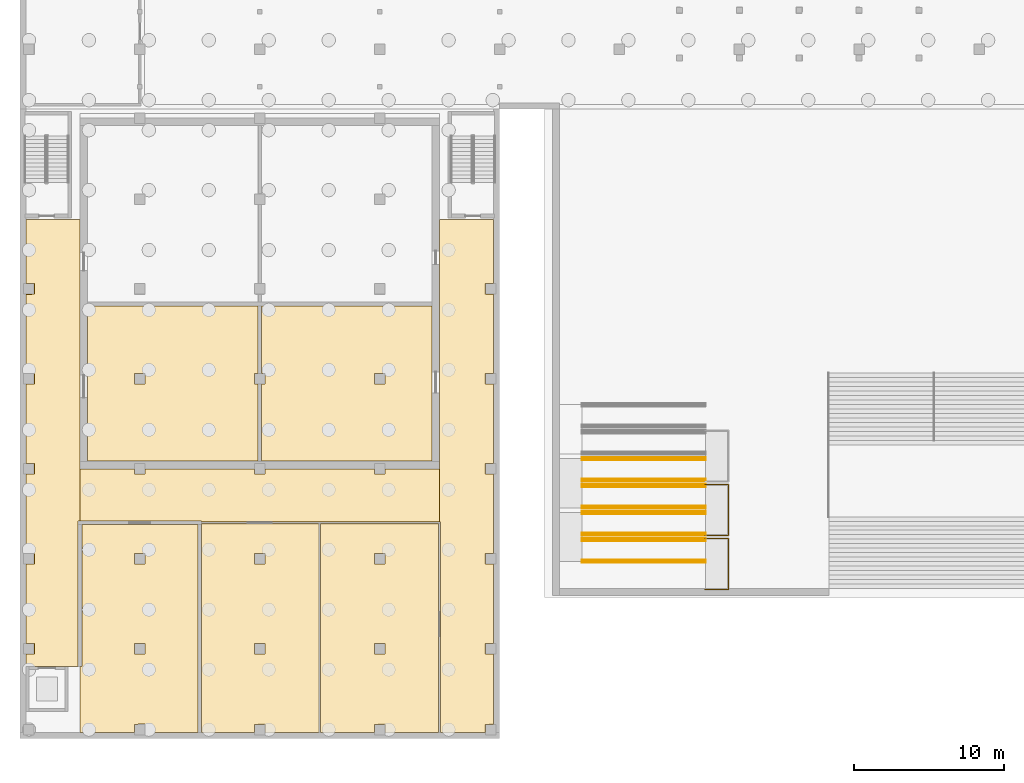
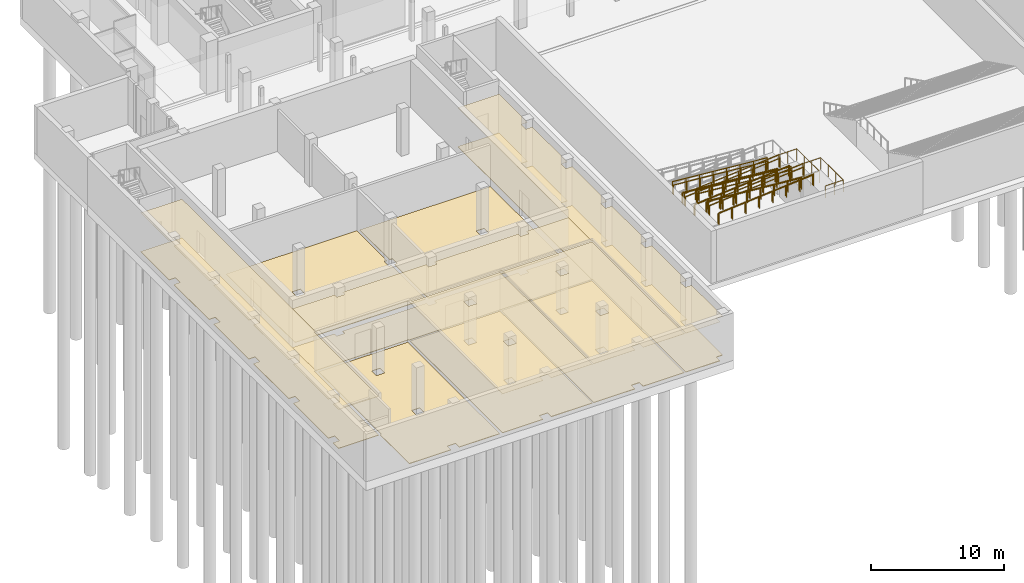
# One storey, part 11 of 21: 18 railings, 13 coverings.
"""IFC4 building model written with IfcOpenShell, lengths in metres."""

from ifc_helpers import new_model, si_unit, direction, frame, origin, origin_2d, place, context, subcontext, project, spatial, polyline, circle, outline, extrude, material, layer, layer_set, type_object, element, save


model = new_model("IFC4")

# Units and contexts
model_context = context("Model", 3, precision=1e-05, world=origin(), true_north=direction((0.0, 1.0)))
body_context = subcontext(model_context, "Body", "Model", "MODEL_VIEW")
ifc_project = project(units=[si_unit("LENGTHUNIT", "METRE"), si_unit("AREAUNIT", "SQUARE_METRE"), si_unit("VOLUMEUNIT", "CUBIC_METRE"), si_unit("PLANEANGLEUNIT", "RADIAN"), si_unit("MASSUNIT", "GRAM", prefix="KILO")], contexts=[model_context])

# Site, building, storey
site_placement = place(None, origin())
site = spatial("IfcSite", under=ifc_project, at=site_placement, CompositionType="ELEMENT")
building_placement = place(site_placement, origin())
building = spatial("IfcBuilding", under=site, at=building_placement, Name="Lantern Court Media Centre", CompositionType="ELEMENT")
storey_placement = place(building_placement, frame((0.0, 0.0, -4.800048828125)))
storey = spatial("IfcBuildingStorey", under=building, at=storey_placement, Name="B1", CompositionType="ELEMENT", Elevation=-4.800048828125)

# Coverings
ifc_material_1 = material(Name="Carpet")
ifc_layer_1 = layer(ifc_material_1, 0.050048828125)
ifc_layer_set_1 = layer_set([ifc_layer_1], Name="Carpet")
covering_type_1 = type_object("IfcCoveringType", Name="Carpet floor finish", PredefinedType="FLOORING", material=ifc_layer_set_1)
covering_1_placement = place(storey_placement, origin())
element("IfcCovering", 1, at=covering_1_placement, inside=storey, type_object=covering_type_1, Name="Chiller Plant Room floor finish", PredefinedType="FLOORING", context=body_context, shape_type="SweptSolid", body=[
    extrude(outline(polyline([(4.0, 2.794921875), (4.125, 2.800048828125), (4.125, 12.27490234375), (11.875, 12.27490234375), (11.875, -1.594970703125), (8.35498046875, -1.594970703125), (8.35009765625, -1.044921875), (7.646728515625, -1.046142578125), (7.64501953125, -1.594970703125), (4.0, -1.594970703125), (4.0, 2.794921875)]), holes=[polyline([(8.35009765625, 9.64501953125), (8.353515625, 10.353515625), (7.646484375, 10.353515625), (7.646484375, 9.646484375), (8.35009765625, 9.64501953125)]), polyline([(8.35009765625, 3.64501953125), (8.353515625, 4.353515625), (7.646484375, 4.353515625), (7.646484375, 3.646484375), (8.35009765625, 3.64501953125)])]), origin(), (0.0, 0.0, 1.0), 0.050048828125),
])
covering_2_placement = place(storey_placement, origin())
element("IfcCovering", 2, at=covering_2_placement, inside=storey, type_object=covering_type_1, Name="Cinema Hall Switchroom floor finish", PredefinedType="FLOORING", context=body_context, shape_type="SweptSolid", body=[
    extrude(outline(polyline([(16.35498046875, -1.594970703125), (16.35009765625, -1.044921875), (15.646728515625, -1.046142578125), (15.64501953125, -1.594970703125), (12.125, -1.594970703125), (12.125, 12.33251953125), (19.945068359375, 12.33251953125), (19.945068359375, -1.594970703125), (16.35498046875, -1.594970703125)]), holes=[polyline([(16.35009765625, 3.64501953125), (16.353515625, 4.353515625), (15.646484375, 4.353515625), (15.646484375, 3.646484375), (16.35009765625, 3.64501953125)]), polyline([(15.64501953125, 9.64990234375), (16.353515625, 9.646484375), (16.353515625, 10.353515625), (15.646484375, 10.353515625), (15.64501953125, 9.64990234375)])]), origin(), (0.0, 0.0, 1.0), 0.050048828125),
])
covering_3_placement = place(storey_placement, origin())
element("IfcCovering", 3, at=covering_3_placement, inside=storey, type_object=covering_type_1, Name="Water Tank Room floor finish", PredefinedType="FLOORING", context=body_context, shape_type="SweptSolid", body=[
    extrude(outline(polyline([(24.35498046875, -1.594970703125), (24.35009765625, -1.044921875), (23.646728515625, -1.046142578125), (23.64501953125, -1.594970703125), (20.054931640625, -1.594970703125), (20.054931640625, 12.33251953125), (27.9326171875, 12.33251953125), (27.9326171875, -1.594970703125), (24.35498046875, -1.594970703125)]), holes=[polyline([(24.35009765625, 3.64501953125), (24.353515625, 4.353515625), (23.646484375, 4.353515625), (23.646484375, 3.646484375), (24.35009765625, 3.64501953125)]), polyline([(24.35009765625, 9.64501953125), (24.353515625, 10.353515625), (23.646484375, 10.353515625), (23.646484375, 9.646484375), (24.35009765625, 9.64501953125)])]), origin(), (0.0, 0.0, 1.0), 0.050048828125),
])
covering_4_placement = place(storey_placement, origin())
element("IfcCovering", 4, at=covering_4_placement, inside=storey, type_object=covering_type_1, Name="Standby Generator Hall floor finish", PredefinedType="FLOORING", context=body_context, shape_type="SweptSolid", body=[
    extrude(outline(polyline([(15.875, 26.875), (15.875, 22.35498046875), (15.64501953125, 22.35009765625), (15.645263671875, 21.6484375), (15.875, 21.64501953125), (15.875, 16.5048828125), (4.5048828125, 16.5048828125), (4.5048828125, 26.875), (15.875, 26.875)]), holes=[polyline([(8.35009765625, 21.64501953125), (8.353515625, 22.353515625), (7.646484375, 22.353515625), (7.646484375, 21.646484375), (8.35009765625, 21.64501953125)])]), origin(), (0.0, 0.0, 1.0), 0.050048828125),
])
covering_5_placement = place(storey_placement, origin())
element("IfcCovering", 5, at=covering_5_placement, inside=storey, type_object=covering_type_1, Name="Air Handling Plant Room floor finish", PredefinedType="FLOORING", context=body_context, shape_type="SweptSolid", body=[
    extrude(outline(polyline([(16.125, 21.64501953125), (16.35498046875, 21.64990234375), (16.354736328125, 22.3515625), (16.125, 22.35498046875), (16.125, 26.875), (27.4951171875, 26.875), (27.4951171875, 16.5048828125), (16.125, 16.5048828125), (16.125, 21.64501953125)]), holes=[polyline([(24.35009765625, 21.64501953125), (24.353515625, 22.353515625), (23.646484375, 22.353515625), (23.646484375, 21.646484375), (24.35009765625, 21.64501953125)])]), origin(), (0.0, 0.0, 1.0), 0.050048828125),
])

# Railings
ifc_material_2 = material(Name="Steel, galvanised", Category="steel")
railing_type_1 = type_object("IfcRailingType", Name="Forecourt guard 1100", PredefinedType="GUARDRAIL", material=ifc_material_2)
for number, where, name in (
    (6, (45.728515625, 9.75, 4.1142578125), "Ramp 2 guard S"),
    (7, (45.728515625, 11.35009765625, 4.1142578125), "Ramp 2 guard N"),
):
    element("IfcRailing", number, at=place(storey_placement, frame(where)), inside=storey, type_object=railing_type_1, Name=name, PredefinedType="GUARDRAIL", context=body_context, shape_type="SweptSolid", body=[
        extrude(circle(Radius=0.02392578125, at=origin_2d()), frame((0.0, 0.0, 1.076171875), z_axis=(-0.99654738937, 0.0, -0.083025904028), x_axis=(0.0, -1.0, 0.0)), (0.0, 0.0, 1.0), 8.257080078125),
        extrude(circle(Radius=0.02099609375, at=origin_2d()), origin(), (0.0, 0.0, 1.0), 1.052001953125),
        extrude(circle(Radius=0.02099609375, at=origin_2d()), frame((-1.175537109375, 0.0, -0.097900390625)), (0.0, 0.0, 1.0), 1.052001953125),
        extrude(circle(Radius=0.02099609375, at=origin_2d()), frame((-2.35107421875, 0.0, -0.19580078125)), (0.0, 0.0, 1.0), 1.052001953125),
        extrude(circle(Radius=0.02099609375, at=origin_2d()), frame((-3.526611328125, 0.0, -0.293701171875)), (0.0, 0.0, 1.0), 1.052001953125),
        extrude(circle(Radius=0.02099609375, at=origin_2d()), frame((-4.701904296875, 0.0, -0.391845703125)), (0.0, 0.0, 1.0), 1.052001953125),
        extrude(circle(Radius=0.02099609375, at=origin_2d()), frame((-5.87744140625, 0.0, -0.48974609375)), (0.0, 0.0, 1.0), 1.052001953125),
        extrude(circle(Radius=0.02099609375, at=origin_2d()), frame((-7.052978515625, 0.0, -0.587646484375)), (0.0, 0.0, 1.0), 1.052001953125),
        extrude(circle(Radius=0.02099609375, at=origin_2d()), frame((-8.228515625, 0.0, -0.685546875)), (0.0, 0.0, 1.0), 1.052001953125),
    ])
for number, where, name in (
    (8, (37.5, 11.550048828125, 3.4287109375), "Ramp 3 guard S"),
    (9, (37.5, 13.14990234375, 3.4287109375), "Ramp 3 guard N"),
):
    element("IfcRailing", number, at=place(storey_placement, frame(where)), inside=storey, type_object=railing_type_1, Name=name, PredefinedType="GUARDRAIL", context=body_context, shape_type="SweptSolid", body=[
        extrude(circle(Radius=0.02392578125, at=origin_2d()), frame((0.0, 0.0, 1.076171875), z_axis=(0.99654494254, 0.0, -0.083055267731), x_axis=(0.0, 1.0, 0.0)), (0.0, 0.0, 1.0), 8.257080078125),
        extrude(circle(Radius=0.02099609375, at=origin_2d()), origin(), (0.0, 0.0, 1.0), 1.052001953125),
        extrude(circle(Radius=0.02099609375, at=origin_2d()), frame((1.175537109375, 0.0, -0.097900390625)), (0.0, 0.0, 1.0), 1.052001953125),
        extrude(circle(Radius=0.02099609375, at=origin_2d()), frame((2.35107421875, 0.0, -0.196044921875)), (0.0, 0.0, 1.0), 1.052001953125),
        extrude(circle(Radius=0.02099609375, at=origin_2d()), frame((3.526611328125, 0.0, -0.2939453125)), (0.0, 0.0, 1.0), 1.052001953125),
        extrude(circle(Radius=0.02099609375, at=origin_2d()), frame((4.701904296875, 0.0, -0.391845703125)), (0.0, 0.0, 1.0), 1.052001953125),
        extrude(circle(Radius=0.02099609375, at=origin_2d()), frame((5.87744140625, 0.0, -0.48974609375)), (0.0, 0.0, 1.0), 1.052001953125),
        extrude(circle(Radius=0.02099609375, at=origin_2d()), frame((7.052978515625, 0.0, -0.587890625)), (0.0, 0.0, 1.0), 1.052001953125),
        extrude(circle(Radius=0.02099609375, at=origin_2d()), frame((8.228515625, 0.0, -0.685791015625)), (0.0, 0.0, 1.0), 1.052001953125),
    ])
for number, where, name in (
    (10, (45.728515625, 13.35009765625, 2.742919921875), "Ramp 4 guard S"),
    (11, (45.728515625, 14.949951171875, 2.742919921875), "Ramp 4 guard N"),
):
    element("IfcRailing", number, at=place(storey_placement, frame(where)), inside=storey, type_object=railing_type_1, Name=name, PredefinedType="GUARDRAIL", context=body_context, shape_type="SweptSolid", body=[
        extrude(circle(Radius=0.02392578125, at=origin_2d()), frame((0.0, 0.0, 1.076171875), z_axis=(-0.99654494254, 0.0, -0.083055267731), x_axis=(0.0, -1.0, 0.0)), (0.0, 0.0, 1.0), 8.257080078125),
        extrude(circle(Radius=0.02099609375, at=origin_2d()), origin(), (0.0, 0.0, 1.0), 1.052001953125),
        extrude(circle(Radius=0.02099609375, at=origin_2d()), frame((-1.175537109375, 0.0, -0.097900390625)), (0.0, 0.0, 1.0), 1.052001953125),
        extrude(circle(Radius=0.02099609375, at=origin_2d()), frame((-2.35107421875, 0.0, -0.196044921875)), (0.0, 0.0, 1.0), 1.052001953125),
        extrude(circle(Radius=0.02099609375, at=origin_2d()), frame((-3.526611328125, 0.0, -0.2939453125)), (0.0, 0.0, 1.0), 1.052001953125),
        extrude(circle(Radius=0.02099609375, at=origin_2d()), frame((-4.701904296875, 0.0, -0.391845703125)), (0.0, 0.0, 1.0), 1.052001953125),
        extrude(circle(Radius=0.02099609375, at=origin_2d()), frame((-5.87744140625, 0.0, -0.48974609375)), (0.0, 0.0, 1.0), 1.052001953125),
        extrude(circle(Radius=0.02099609375, at=origin_2d()), frame((-7.052978515625, 0.0, -0.587890625)), (0.0, 0.0, 1.0), 1.052001953125),
        extrude(circle(Radius=0.02099609375, at=origin_2d()), frame((-8.228515625, 0.0, -0.685791015625)), (0.0, 0.0, 1.0), 1.052001953125),
    ])
for number, where, name in (
    (12, (37.5, 15.14990234375, 2.05712890625), "Ramp 5 guard S"),
    (13, (37.5, 16.75, 2.05712890625), "Ramp 5 guard N"),
):
    element("IfcRailing", number, at=place(storey_placement, frame(where)), inside=storey, type_object=railing_type_1, Name=name, PredefinedType="GUARDRAIL", context=body_context, shape_type="SweptSolid", body=[
        extrude(circle(Radius=0.02392578125, at=origin_2d()), frame((0.0, 0.0, 1.076171875), z_axis=(0.99654494254, 0.0, -0.083055267731), x_axis=(0.0, 1.0, 0.0)), (0.0, 0.0, 1.0), 8.257080078125),
        extrude(circle(Radius=0.02099609375, at=origin_2d()), origin(), (0.0, 0.0, 1.0), 1.052001953125),
        extrude(circle(Radius=0.02099609375, at=origin_2d()), frame((1.175537109375, 0.0, -0.097900390625)), (0.0, 0.0, 1.0), 1.052001953125),
        extrude(circle(Radius=0.02099609375, at=origin_2d()), frame((2.35107421875, 0.0, -0.196044921875)), (0.0, 0.0, 1.0), 1.052001953125),
        extrude(circle(Radius=0.02099609375, at=origin_2d()), frame((3.526611328125, 0.0, -0.2939453125)), (0.0, 0.0, 1.0), 1.052001953125),
        extrude(circle(Radius=0.02099609375, at=origin_2d()), frame((4.701904296875, 0.0, -0.391845703125)), (0.0, 0.0, 1.0), 1.052001953125),
        extrude(circle(Radius=0.02099609375, at=origin_2d()), frame((5.87744140625, 0.0, -0.48974609375)), (0.0, 0.0, 1.0), 1.052001953125),
        extrude(circle(Radius=0.02099609375, at=origin_2d()), frame((7.052978515625, 0.0, -0.587890625)), (0.0, 0.0, 1.0), 1.052001953125),
        extrude(circle(Radius=0.02099609375, at=origin_2d()), frame((8.228515625, 0.0, -0.685791015625)), (0.0, 0.0, 1.0), 1.052001953125),
    ])
railing_1_placement = place(storey_placement, frame((45.728515625, 7.949951171875, 4.1142578125)))
element("IfcRailing", 14, at=railing_1_placement, inside=storey, type_object=railing_type_1, Name="Ramp landing L1 guard", PredefinedType="GUARDRAIL", context=body_context, shape_type="SweptSolid", body=[
    extrude(circle(Radius=0.02392578125, at=origin_2d()), frame((0.0, 0.0, 1.076171875), z_axis=(1.0, 0.0, 0.0), x_axis=(0.0, 1.0, 0.0)), (0.0, 0.0, 1.0), 1.550048828125),
    extrude(circle(Radius=0.02392578125, at=origin_2d()), frame((1.550048828125, 0.0, 1.076171875), z_axis=(0.0, 1.0, 0.0), x_axis=(-1.0, 0.0, 0.0)), (0.0, 0.0, 1.0), 3.400146484375),
    extrude(circle(Radius=0.02392578125, at=origin_2d()), frame((1.550048828125, 3.400146484375, 1.076171875), z_axis=(-1.0, 0.0, 0.0), x_axis=(0.0, -1.0, 0.0)), (0.0, 0.0, 1.0), 1.550048828125),
    extrude(circle(Radius=0.02099609375, at=origin_2d()), origin(), (0.0, 0.0, 1.0), 1.052001953125),
    extrude(circle(Radius=0.02099609375, at=origin_2d()), frame((0.77490234375, 0.0, 0.0)), (0.0, 0.0, 1.0), 1.052001953125),
    extrude(circle(Radius=0.02099609375, at=origin_2d()), frame((1.550048828125, 0.0, 0.0)), (0.0, 0.0, 1.0), 1.052001953125),
    extrude(circle(Radius=0.02099609375, at=origin_2d()), frame((1.550048828125, 1.13330078125, 0.0)), (0.0, 0.0, 1.0), 1.052001953125),
    extrude(circle(Radius=0.02099609375, at=origin_2d()), frame((1.550048828125, 2.266845703125, 0.0)), (0.0, 0.0, 1.0), 1.052001953125),
    extrude(circle(Radius=0.02099609375, at=origin_2d()), frame((1.550048828125, 3.400146484375, 0.0)), (0.0, 0.0, 1.0), 1.052001953125),
    extrude(circle(Radius=0.02099609375, at=origin_2d()), frame((0.77490234375, 3.400146484375, 0.0)), (0.0, 0.0, 1.0), 1.052001953125),
    extrude(circle(Radius=0.02099609375, at=origin_2d()), frame((0.0, 3.400146484375, 0.0)), (0.0, 0.0, 1.0), 1.052001953125),
])
railing_2_placement = place(storey_placement, frame((45.728515625, 11.550048828125, 2.742919921875)))
element("IfcRailing", 15, at=railing_2_placement, inside=storey, type_object=railing_type_1, Name="Ramp landing L3 guard", PredefinedType="GUARDRAIL", context=body_context, shape_type="SweptSolid", body=[
    extrude(circle(Radius=0.02392578125, at=origin_2d()), frame((0.0, 0.0, 1.076171875), z_axis=(1.0, 0.0, 0.0), x_axis=(0.0, 1.0, 0.0)), (0.0, 0.0, 1.0), 1.550048828125),
    extrude(circle(Radius=0.02392578125, at=origin_2d()), frame((1.550048828125, 0.0, 1.076171875), z_axis=(0.0, 1.0, 0.0), x_axis=(-1.0, 0.0, 0.0)), (0.0, 0.0, 1.0), 3.39990234375),
    extrude(circle(Radius=0.02392578125, at=origin_2d()), frame((1.550048828125, 3.39990234375, 1.076171875), z_axis=(-1.0, 0.0, 0.0), x_axis=(0.0, -1.0, 0.0)), (0.0, 0.0, 1.0), 1.550048828125),
    extrude(circle(Radius=0.02099609375, at=origin_2d()), origin(), (0.0, 0.0, 1.0), 1.052001953125),
    extrude(circle(Radius=0.02099609375, at=origin_2d()), frame((0.77490234375, 0.0, 0.0)), (0.0, 0.0, 1.0), 1.052001953125),
    extrude(circle(Radius=0.02099609375, at=origin_2d()), frame((1.550048828125, 0.0, 0.0)), (0.0, 0.0, 1.0), 1.052001953125),
    extrude(circle(Radius=0.02099609375, at=origin_2d()), frame((1.550048828125, 1.13330078125, 0.0)), (0.0, 0.0, 1.0), 1.052001953125),
    extrude(circle(Radius=0.02099609375, at=origin_2d()), frame((1.550048828125, 2.2666015625, 0.0)), (0.0, 0.0, 1.0), 1.052001953125),
    extrude(circle(Radius=0.02099609375, at=origin_2d()), frame((1.550048828125, 3.39990234375, 0.0)), (0.0, 0.0, 1.0), 1.052001953125),
    extrude(circle(Radius=0.02099609375, at=origin_2d()), frame((0.77490234375, 3.39990234375, 0.0)), (0.0, 0.0, 1.0), 1.052001953125),
    extrude(circle(Radius=0.02099609375, at=origin_2d()), frame((0.0, 3.39990234375, 0.0)), (0.0, 0.0, 1.0), 1.052001953125),
])
railing_type_2 = type_object("IfcRailingType", Name="Forecourt handrail 900", PredefinedType="HANDRAIL", material=ifc_material_2)
for number, where, name in (
    (16, (45.728515625, 9.919921875, 4.1142578125), "Ramp 2 handrail a"),
    (17, (45.728515625, 11.179931640625, 4.1142578125), "Ramp 2 handrail b"),
):
    element("IfcRailing", number, at=place(storey_placement, frame(where)), inside=storey, type_object=railing_type_2, Name=name, PredefinedType="HANDRAIL", context=body_context, shape_type="SweptSolid", body=[
        extrude(circle(Radius=0.02392578125, at=origin_2d()), frame((0.0, 0.0, 0.8759765625), z_axis=(-0.99654738937, 0.0, -0.083025904028), x_axis=(0.0, -1.0, 0.0)), (0.0, 0.0, 1.0), 8.257080078125),
        extrude(circle(Radius=0.02099609375, at=origin_2d()), origin(), (0.0, 0.0, 1.0), 0.851806640625),
        extrude(circle(Radius=0.02099609375, at=origin_2d()), frame((-1.175537109375, 0.0, -0.097900390625)), (0.0, 0.0, 1.0), 0.851806640625),
        extrude(circle(Radius=0.02099609375, at=origin_2d()), frame((-2.35107421875, 0.0, -0.19580078125)), (0.0, 0.0, 1.0), 0.851806640625),
        extrude(circle(Radius=0.02099609375, at=origin_2d()), frame((-3.526611328125, 0.0, -0.293701171875)), (0.0, 0.0, 1.0), 0.851806640625),
        extrude(circle(Radius=0.02099609375, at=origin_2d()), frame((-4.701904296875, 0.0, -0.391845703125)), (0.0, 0.0, 1.0), 0.851806640625),
        extrude(circle(Radius=0.02099609375, at=origin_2d()), frame((-5.87744140625, 0.0, -0.48974609375)), (0.0, 0.0, 1.0), 0.851806640625),
        extrude(circle(Radius=0.02099609375, at=origin_2d()), frame((-7.052978515625, 0.0, -0.587646484375)), (0.0, 0.0, 1.0), 0.851806640625),
        extrude(circle(Radius=0.02099609375, at=origin_2d()), frame((-8.228515625, 0.0, -0.685546875)), (0.0, 0.0, 1.0), 0.851806640625),
    ])
for number, where, name in (
    (18, (37.5, 11.719970703125, 3.4287109375), "Ramp 3 handrail a"),
    (19, (37.5, 12.97998046875, 3.4287109375), "Ramp 3 handrail b"),
):
    element("IfcRailing", number, at=place(storey_placement, frame(where)), inside=storey, type_object=railing_type_2, Name=name, PredefinedType="HANDRAIL", context=body_context, shape_type="SweptSolid", body=[
        extrude(circle(Radius=0.02392578125, at=origin_2d()), frame((0.0, 0.0, 0.8759765625), z_axis=(0.99654494254, 0.0, -0.083055267731), x_axis=(0.0, 1.0, 0.0)), (0.0, 0.0, 1.0), 8.257080078125),
        extrude(circle(Radius=0.02099609375, at=origin_2d()), origin(), (0.0, 0.0, 1.0), 0.851806640625),
        extrude(circle(Radius=0.02099609375, at=origin_2d()), frame((1.175537109375, 0.0, -0.097900390625)), (0.0, 0.0, 1.0), 0.851806640625),
        extrude(circle(Radius=0.02099609375, at=origin_2d()), frame((2.35107421875, 0.0, -0.196044921875)), (0.0, 0.0, 1.0), 0.851806640625),
        extrude(circle(Radius=0.02099609375, at=origin_2d()), frame((3.526611328125, 0.0, -0.2939453125)), (0.0, 0.0, 1.0), 0.851806640625),
        extrude(circle(Radius=0.02099609375, at=origin_2d()), frame((4.701904296875, 0.0, -0.391845703125)), (0.0, 0.0, 1.0), 0.851806640625),
        extrude(circle(Radius=0.02099609375, at=origin_2d()), frame((5.87744140625, 0.0, -0.48974609375)), (0.0, 0.0, 1.0), 0.851806640625),
        extrude(circle(Radius=0.02099609375, at=origin_2d()), frame((7.052978515625, 0.0, -0.587890625)), (0.0, 0.0, 1.0), 0.851806640625),
        extrude(circle(Radius=0.02099609375, at=origin_2d()), frame((8.228515625, 0.0, -0.685791015625)), (0.0, 0.0, 1.0), 0.851806640625),
    ])
for number, where, name in (
    (20, (45.728515625, 13.52001953125, 2.742919921875), "Ramp 4 handrail a"),
    (21, (45.728515625, 14.780029296875, 2.742919921875), "Ramp 4 handrail b"),
):
    element("IfcRailing", number, at=place(storey_placement, frame(where)), inside=storey, type_object=railing_type_2, Name=name, PredefinedType="HANDRAIL", context=body_context, shape_type="SweptSolid", body=[
        extrude(circle(Radius=0.02392578125, at=origin_2d()), frame((0.0, 0.0, 0.8759765625), z_axis=(-0.99654494254, 0.0, -0.083055267731), x_axis=(0.0, -1.0, 0.0)), (0.0, 0.0, 1.0), 8.257080078125),
        extrude(circle(Radius=0.02099609375, at=origin_2d()), origin(), (0.0, 0.0, 1.0), 0.851806640625),
        extrude(circle(Radius=0.02099609375, at=origin_2d()), frame((-1.175537109375, 0.0, -0.097900390625)), (0.0, 0.0, 1.0), 0.851806640625),
        extrude(circle(Radius=0.02099609375, at=origin_2d()), frame((-2.35107421875, 0.0, -0.196044921875)), (0.0, 0.0, 1.0), 0.851806640625),
        extrude(circle(Radius=0.02099609375, at=origin_2d()), frame((-3.526611328125, 0.0, -0.2939453125)), (0.0, 0.0, 1.0), 0.851806640625),
        extrude(circle(Radius=0.02099609375, at=origin_2d()), frame((-4.701904296875, 0.0, -0.391845703125)), (0.0, 0.0, 1.0), 0.851806640625),
        extrude(circle(Radius=0.02099609375, at=origin_2d()), frame((-5.87744140625, 0.0, -0.48974609375)), (0.0, 0.0, 1.0), 0.851806640625),
        extrude(circle(Radius=0.02099609375, at=origin_2d()), frame((-7.052978515625, 0.0, -0.587890625)), (0.0, 0.0, 1.0), 0.851806640625),
        extrude(circle(Radius=0.02099609375, at=origin_2d()), frame((-8.228515625, 0.0, -0.685791015625)), (0.0, 0.0, 1.0), 0.851806640625),
    ])
for number, where, name in (
    (22, (37.5, 15.320068359375, 2.05712890625), "Ramp 5 handrail a"),
    (23, (37.5, 16.580078125, 2.05712890625), "Ramp 5 handrail b"),
):
    element("IfcRailing", number, at=place(storey_placement, frame(where)), inside=storey, type_object=railing_type_2, Name=name, PredefinedType="HANDRAIL", context=body_context, shape_type="SweptSolid", body=[
        extrude(circle(Radius=0.02392578125, at=origin_2d()), frame((0.0, 0.0, 0.8759765625), z_axis=(0.99654494254, 0.0, -0.083055267731), x_axis=(0.0, 1.0, 0.0)), (0.0, 0.0, 1.0), 8.257080078125),
        extrude(circle(Radius=0.02099609375, at=origin_2d()), origin(), (0.0, 0.0, 1.0), 0.851806640625),
        extrude(circle(Radius=0.02099609375, at=origin_2d()), frame((1.175537109375, 0.0, -0.097900390625)), (0.0, 0.0, 1.0), 0.851806640625),
        extrude(circle(Radius=0.02099609375, at=origin_2d()), frame((2.35107421875, 0.0, -0.196044921875)), (0.0, 0.0, 1.0), 0.851806640625),
        extrude(circle(Radius=0.02099609375, at=origin_2d()), frame((3.526611328125, 0.0, -0.2939453125)), (0.0, 0.0, 1.0), 0.851806640625),
        extrude(circle(Radius=0.02099609375, at=origin_2d()), frame((4.701904296875, 0.0, -0.391845703125)), (0.0, 0.0, 1.0), 0.851806640625),
        extrude(circle(Radius=0.02099609375, at=origin_2d()), frame((5.87744140625, 0.0, -0.48974609375)), (0.0, 0.0, 1.0), 0.851806640625),
        extrude(circle(Radius=0.02099609375, at=origin_2d()), frame((7.052978515625, 0.0, -0.587890625)), (0.0, 0.0, 1.0), 0.851806640625),
        extrude(circle(Radius=0.02099609375, at=origin_2d()), frame((8.228515625, 0.0, -0.685791015625)), (0.0, 0.0, 1.0), 0.851806640625),
    ])

# Coverings
ifc_material_3 = material(Name="Mineral fibre ceiling tile")
ifc_layer_2 = layer(ifc_material_3, 0.02001953125)
ifc_layer_set_2 = layer_set([ifc_layer_2], Name="Mineral fibre ceiling tile")
covering_type_2 = type_object("IfcCoveringType", Name="Suspended ceiling tile", PredefinedType="CEILING", material=ifc_layer_set_2)
covering_6_placement = place(storey_placement, frame((0.0, 0.0, 3.60009765625)))
element("IfcCovering", 24, at=covering_6_placement, inside=storey, type_object=covering_type_2, Name="Plant Corridor ceiling", PredefinedType="CEILING", context=body_context, shape_type="SweptSolid", body=[
    extrude(outline(polyline([(4.0, 12.5205078125), (3.87939453125, 12.52001953125), (3.87939453125, 2.800048828125), (0.400390625, 2.800537109375), (0.400390625, 3.6494140625), (0.950439453125, 3.64990234375), (0.950439453125, 4.350341796875), (0.400390625, 4.3505859375), (0.400390625, 9.6494140625), (0.950439453125, 9.64990234375), (0.950439453125, 10.350341796875), (0.400390625, 10.3505859375), (0.400390625, 15.6494140625), (0.950439453125, 15.64990234375), (0.950439453125, 16.350341796875), (0.400390625, 16.3505859375), (0.400390625, 21.6494140625), (0.950439453125, 21.64990234375), (0.950439453125, 22.350341796875), (0.400390625, 22.3505859375), (0.400390625, 27.6494140625), (0.950439453125, 27.64990234375), (0.950439453125, 28.350341796875), (0.400390625, 28.3505859375), (0.400390625, 32.64990234375), (3.99951171875, 32.64990234375), (4.0, 12.5205078125)])), origin(), (0.0, 0.0, 1.0), 0.02001953125),
])
covering_7_placement = place(storey_placement, frame((0.0, 0.0, 3.60009765625)))
element("IfcCovering", 25, at=covering_7_placement, inside=storey, type_object=covering_type_2, Name="Plant Corridor ceiling", PredefinedType="CEILING", context=body_context, shape_type="SweptSolid", body=[
    extrude(outline(polyline([(31.599609375, 32.64990234375), (31.599609375, 28.3505859375), (31.049560546875, 28.35009765625), (31.049560546875, 27.649658203125), (31.599609375, 27.6494140625), (31.599609375, 22.3505859375), (31.049560546875, 22.35009765625), (31.049560546875, 21.649658203125), (31.599609375, 21.6494140625), (31.599609375, 16.3505859375), (31.049560546875, 16.35009765625), (31.049560546875, 15.649658203125), (31.599609375, 15.6494140625), (31.599609375, 10.3505859375), (31.049560546875, 10.35009765625), (31.049560546875, 9.649658203125), (31.599609375, 9.6494140625), (31.599609375, 4.3505859375), (31.049560546875, 4.35009765625), (31.049560546875, 3.649658203125), (31.599609375, 3.6494140625), (31.599609375, -1.049560546875), (31.049560546875, -1.049560546875), (31.049560546875, -1.599609375), (28.0, -1.599609375), (28.06298828125, -1.594970703125), (28.06298828125, 12.46240234375), (28.0, 12.462890625), (28.00048828125, 32.64990234375), (31.599609375, 32.64990234375)])), origin(), (0.0, 0.0, 1.0), 0.02001953125),
])
covering_8_placement = place(storey_placement, frame((0.0, 0.0, 3.60009765625)))
element("IfcCovering", 26, at=covering_8_placement, inside=storey, type_object=covering_type_2, Name="Plant Corridor ceiling", PredefinedType="CEILING", context=body_context, shape_type="SweptSolid", body=[
    extrude(outline(polyline([(28.0, 12.462890625), (12.12060546875, 12.462890625), (12.1201171875, 12.5205078125), (4.0, 12.5205078125), (4.0, 15.99951171875), (7.6494140625, 15.99951171875), (7.64990234375, 15.6494140625), (8.350341796875, 15.649658203125), (8.3505859375, 15.99951171875), (15.6494140625, 15.99951171875), (15.64990234375, 15.6494140625), (16.350341796875, 15.649658203125), (16.3505859375, 15.99951171875), (23.6494140625, 15.99951171875), (23.64990234375, 15.6494140625), (24.350341796875, 15.649658203125), (24.3505859375, 15.99951171875), (28.0, 15.99951171875), (28.0, 12.462890625)])), origin(), (0.0, 0.0, 1.0), 0.02001953125),
])
covering_9_placement = place(storey_placement, frame((0.0, 0.0, 3.60009765625)))
element("IfcCovering", 27, at=covering_9_placement, inside=storey, type_object=covering_type_2, Name="Cinema Hall Switchroom ceiling", PredefinedType="CEILING", context=body_context, shape_type="SweptSolid", body=[
    extrude(outline(polyline([(20.0, -1.599609375), (16.3505859375, -1.599609375), (16.35009765625, -1.049560546875), (15.649658203125, -1.049560546875), (15.6494140625, -1.599609375), (12.0, -1.599609375), (12.12060546875, -1.594970703125), (12.12060546875, 12.3369140625), (19.949462890625, 12.3369140625), (19.949462890625, -1.594970703125), (20.0, -1.599609375)]), holes=[polyline([(16.35009765625, 9.6494140625), (16.350341796875, 10.350341796875), (15.649658203125, 10.350341796875), (15.649658203125, 9.649658203125), (16.35009765625, 9.6494140625)]), polyline([(16.3505859375, 4.35009765625), (15.649658203125, 4.350341796875), (15.649658203125, 3.649658203125), (16.350341796875, 3.649658203125), (16.3505859375, 4.35009765625)])]), origin(), (0.0, 0.0, 1.0), 0.02001953125),
])
covering_10_placement = place(storey_placement, frame((0.0, 0.0, 3.60009765625)))
element("IfcCovering", 28, at=covering_10_placement, inside=storey, type_object=covering_type_2, Name="Water Tank Room ceiling", PredefinedType="CEILING", context=body_context, shape_type="SweptSolid", body=[
    extrude(outline(polyline([(28.0, -1.599609375), (24.3505859375, -1.599609375), (24.35009765625, -1.049560546875), (23.649658203125, -1.049560546875), (23.6494140625, -1.599609375), (20.0, -1.599609375), (20.050537109375, -1.594970703125), (20.050537109375, 12.3369140625), (27.93701171875, 12.3369140625), (27.93701171875, -1.594970703125), (28.0, -1.599609375)]), holes=[polyline([(24.3505859375, 10.35009765625), (23.649658203125, 10.350341796875), (23.649658203125, 9.649658203125), (24.350341796875, 9.649658203125), (24.3505859375, 10.35009765625)]), polyline([(24.3505859375, 4.35009765625), (23.649658203125, 4.350341796875), (23.649658203125, 3.649658203125), (24.350341796875, 3.649658203125), (24.3505859375, 4.35009765625)])]), origin(), (0.0, 0.0, 1.0), 0.02001953125),
])
ifc_material_4 = material(Name="Terrazzo")
ifc_layer_3 = layer(ifc_material_4, 0.050048828125)
ifc_layer_set_3 = layer_set([ifc_layer_3], Name="Terrazzo")
covering_type_3 = type_object("IfcCoveringType", Name="Terrazzo floor finish", PredefinedType="FLOORING", material=ifc_layer_set_3)
covering_11_placement = place(storey_placement, origin())
element("IfcCovering", 29, at=covering_11_placement, inside=storey, type_object=covering_type_3, Name="Plant Corridor floor finish", PredefinedType="FLOORING", context=body_context, shape_type="SweptSolid", body=[
    extrude(outline(polyline([(4.0, 12.52490234375), (3.875, 12.52001953125), (3.875, 2.800048828125), (0.405029296875, 2.804931640625), (0.405029296875, 3.64501953125), (0.955078125, 3.64990234375), (0.953857421875, 4.353271484375), (0.405029296875, 4.35498046875), (0.405029296875, 9.64501953125), (0.955078125, 9.64990234375), (0.953857421875, 10.353271484375), (0.405029296875, 10.35498046875), (0.405029296875, 15.64501953125), (0.955078125, 15.64990234375), (0.953857421875, 16.353271484375), (0.405029296875, 16.35498046875), (0.405029296875, 21.64501953125), (0.955078125, 21.64990234375), (0.953857421875, 22.353271484375), (0.405029296875, 22.35498046875), (0.405029296875, 27.64501953125), (0.955078125, 27.64990234375), (0.953857421875, 28.353271484375), (0.405029296875, 28.35498046875), (0.405029296875, 32.64990234375), (3.9951171875, 32.64990234375), (4.0, 12.52490234375)])), origin(), (0.0, 0.0, 1.0), 0.050048828125),
])
covering_12_placement = place(storey_placement, origin())
element("IfcCovering", 30, at=covering_12_placement, inside=storey, type_object=covering_type_3, Name="Plant Corridor floor finish", PredefinedType="FLOORING", context=body_context, shape_type="SweptSolid", body=[
    extrude(outline(polyline([(31.594970703125, 32.64990234375), (31.594970703125, 28.35498046875), (31.044921875, 28.35009765625), (31.046142578125, 27.646728515625), (31.594970703125, 27.64501953125), (31.594970703125, 22.35498046875), (31.044921875, 22.35009765625), (31.046142578125, 21.646728515625), (31.594970703125, 21.64501953125), (31.594970703125, 16.35498046875), (31.044921875, 16.35009765625), (31.046142578125, 15.646728515625), (31.594970703125, 15.64501953125), (31.594970703125, 10.35498046875), (31.044921875, 10.35009765625), (31.046142578125, 9.646728515625), (31.594970703125, 9.64501953125), (31.594970703125, 4.35498046875), (31.044921875, 4.35009765625), (31.046142578125, 3.646728515625), (31.594970703125, 3.64501953125), (31.594970703125, -1.044921875), (31.04638671875, -1.04638671875), (31.044921875, -1.594970703125), (28.0673828125, -1.594970703125), (28.0673828125, 12.46240234375), (28.0, 12.467529296875), (28.0048828125, 32.64990234375), (31.594970703125, 32.64990234375)])), origin(), (0.0, 0.0, 1.0), 0.050048828125),
])
covering_13_placement = place(storey_placement, origin())
element("IfcCovering", 31, at=covering_13_placement, inside=storey, type_object=covering_type_3, Name="Plant Corridor floor finish", PredefinedType="FLOORING", context=body_context, shape_type="SweptSolid", body=[
    extrude(outline(polyline([(28.0, 12.467529296875), (12.125, 12.467529296875), (12.1201171875, 12.52490234375), (4.0, 12.52490234375), (4.0, 15.9951171875), (7.64501953125, 15.9951171875), (7.64990234375, 15.64501953125), (8.352294921875, 15.6455078125), (8.35498046875, 15.9951171875), (15.64501953125, 15.9951171875), (15.64990234375, 15.64501953125), (16.352294921875, 15.6455078125), (16.35498046875, 15.9951171875), (23.64501953125, 15.9951171875), (23.64990234375, 15.64501953125), (24.352294921875, 15.6455078125), (24.35498046875, 15.9951171875), (28.0, 15.9951171875), (28.0, 12.467529296875)])), origin(), (0.0, 0.0, 1.0), 0.050048828125),
])

save(model, "model.ifc")
